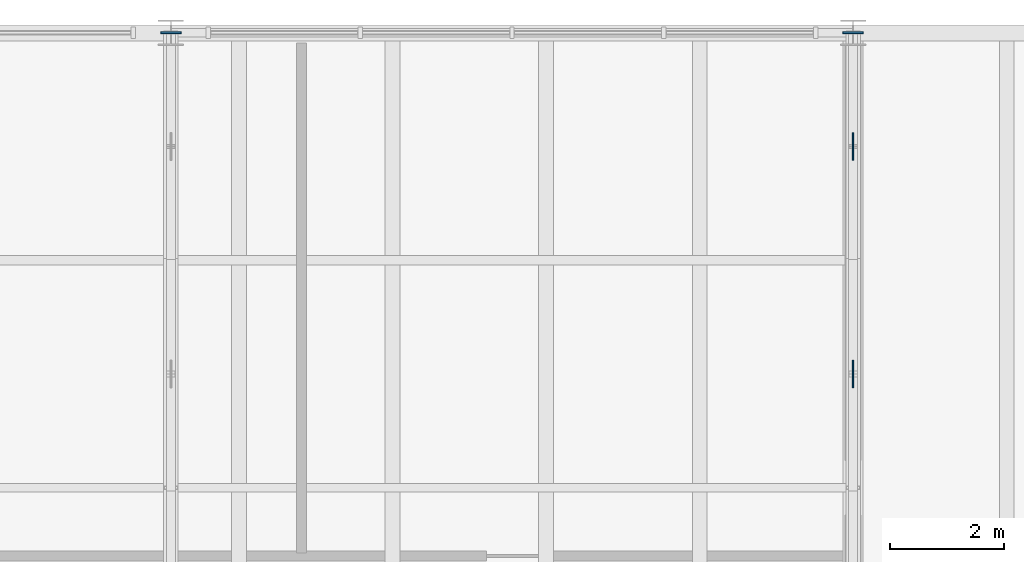
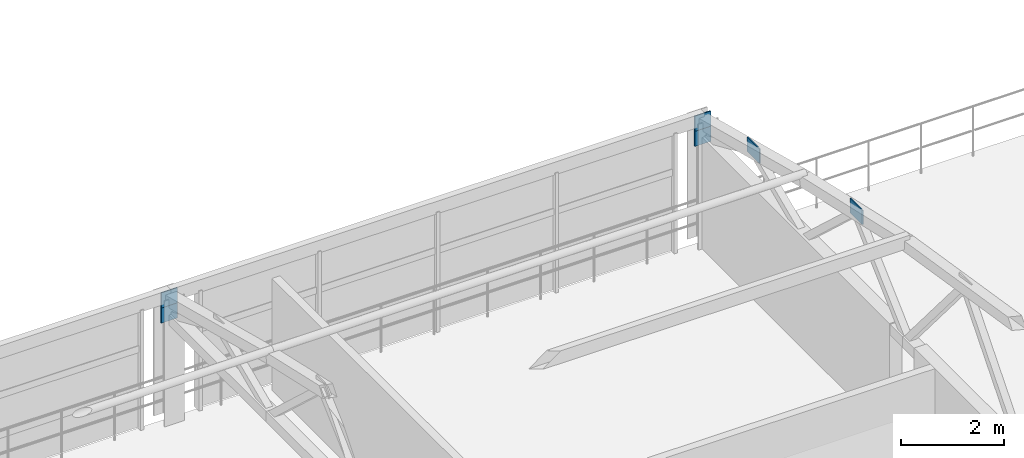
# One storey, part 35 of 50: 6 plates.
"""IFC4 building model written with IfcOpenShell, lengths in metres."""

import ifcopenshell
import ifcopenshell.guid

model = None  # the IFC model being written
_history = None  # IfcOwnerHistory: only IFC2X3 demands one
_inside = {}  # id of a spatial element -> (the spatial element, [elements in it])
_under = {}  # id of a project, library or spatial element -> (it, [spatial elements below it])
_declared = {}  # id of a project -> (the project, [libraries it declares])
_typed = {}  # id of a type object -> (the type object, [elements of that type])
_made_of = {}  # id of a material, layer set ... -> (it, [elements and type objects made of it])


def new_model(schema):
    """Start an empty IFC model of exactly this schema.

    Asked for "IFC4X3", IfcOpenShell would pick the latest addendum, in which some entities
    have other attributes; the version numbers below select the first issue.
    IFC2X3 requires an IfcOwnerHistory on every rooted entity: one is made here for all.
    """
    global model, _history
    if schema == "IFC4X3":
        model = ifcopenshell.file(schema_version=(4, 3, 0, 0))
    else:
        model = ifcopenshell.file(schema=schema)
    _inside.clear()
    _under.clear()
    _declared.clear()
    _typed.clear()
    _made_of.clear()
    _history = None
    if model.schema == "IFC2X3":
        org = make("IfcOrganization", Name="unknown")
        user = make(
            "IfcPersonAndOrganization",
            ThePerson=make("IfcPerson", FamilyName="unknown"),
            TheOrganization=org,
        )
        app = make(
            "IfcApplication",
            ApplicationDeveloper=org,
            Version="unknown",
            ApplicationFullName="unknown",
            ApplicationIdentifier="unknown",
        )
        _history = make(
            "IfcOwnerHistory",
            OwningUser=user,
            OwningApplication=app,
            ChangeAction="ADDED",
            CreationDate=0,
        )
    return model


def make(cls, **values):
    """One entity of the class cls with the attributes given. An attribute that is None is left unset."""
    return model.create_entity(
        cls, **{name: value for name, value in values.items() if value is not None}
    )


def rooted(cls, **values):
    """An entity with a GlobalId (a new one), such as an element, a storey or a relation."""
    return make(cls, GlobalId=ifcopenshell.guid.new(), OwnerHistory=_history, **values)


def si_unit(unit_type, name, prefix=None):
    """IfcSIUnit, for example si_unit("LENGTHUNIT", "METRE", prefix="MILLI")."""
    return make("IfcSIUnit", UnitType=unit_type, Prefix=prefix, Name=name)


def derived_unit(unit_type, elements):
    """IfcDerivedUnit: a product of units, each with its exponent."""
    return make(
        "IfcDerivedUnit",
        Elements=[
            make("IfcDerivedUnitElement", Unit=unit, Exponent=power)
            for unit, power in elements
        ],
        UnitType=unit_type,
    )


def assignment(units):
    """IfcUnitAssignment: the units of a project."""
    return None if units is None else make("IfcUnitAssignment", Units=units)


def point(xyz):
    """IfcCartesianPoint."""
    return None if xyz is None else make("IfcCartesianPoint", Coordinates=xyz)


def direction(xyz):
    """IfcDirection."""
    return None if xyz is None else make("IfcDirection", DirectionRatios=xyz)


def frame(location, z_axis=None, x_axis=None):
    """IfcAxis2Placement3D, a coordinate frame: its origin and axes. An axis left out is left unset."""
    return make(
        "IfcAxis2Placement3D",
        Location=point(location),
        Axis=direction(z_axis),
        RefDirection=direction(x_axis),
    )


def frame_2d(location, x_axis=None):
    """IfcAxis2Placement2D, a coordinate frame in the plane: its origin and x axis."""
    return make(
        "IfcAxis2Placement2D", Location=point(location), RefDirection=direction(x_axis)
    )


def origin():
    """The frame at (0, 0, 0) with its axes left unset."""
    return frame((0.0, 0.0, 0.0))


def origin_2d():
    """The frame at (0, 0) in the plane with its x axis left unset."""
    return frame_2d((0.0, 0.0))


def place(relative_to, where):
    """IfcLocalPlacement: puts the frame where relative to a parent placement (None: the world)."""
    return make(
        "IfcLocalPlacement", PlacementRelTo=relative_to, RelativePlacement=where
    )


def context(
    kind, dimensions, precision=None, world=None, true_north=None, identifier=None
):
    """IfcGeometricRepresentationContext, for example the 3D "Model" context."""
    return make(
        "IfcGeometricRepresentationContext",
        ContextIdentifier=identifier,
        ContextType=kind,
        CoordinateSpaceDimension=dimensions,
        Precision=precision,
        WorldCoordinateSystem=world,
        TrueNorth=true_north,
    )


def subcontext(parent, identifier, kind, view, scale=None):
    """IfcGeometricRepresentationSubContext, for example "Body" below "Model"."""
    return make(
        "IfcGeometricRepresentationSubContext",
        ContextIdentifier=identifier,
        ContextType=kind,
        ParentContext=parent,
        TargetScale=scale,
        TargetView=view,
    )


def project(units=None, contexts=None):
    """IfcProject with its units and contexts."""
    return rooted(
        "IfcProject",
        Name="project",
        RepresentationContexts=contexts,
        UnitsInContext=assignment(units),
    )


def spatial(cls, under=None, at=None, **own):
    """A site, building, storey or space (cls), placed at a placement, below another one or the project."""
    s = rooted(cls, ObjectPlacement=at, **own)
    if under is not None:
        _under.setdefault(under.id(), (under, []))[1].append(s)
    return s


def profile(cls, at=None, kind="AREA", **sizes):
    """A parametric profile (cls). Its sizes go by their IFC names, for example OverallWidth=200.0."""
    return make(cls, ProfileType=kind, Position=at, **sizes)


def rectangle(**sizes):
    """IfcRectangleProfileDef."""
    return profile("IfcRectangleProfileDef", **sizes)


def extrude(swept, where, along, depth):
    """IfcExtrudedAreaSolid: the profile swept, set in the frame where, extruded along a direction by depth."""
    return make(
        "IfcExtrudedAreaSolid",
        SweptArea=swept,
        Position=where,
        ExtrudedDirection=direction(along),
        Depth=depth,
    )


def shape(context_of_items, identifier, shape_type, items):
    """IfcShapeRepresentation: the items that make up one representation, for example the "Body"."""
    return make(
        "IfcShapeRepresentation",
        ContextOfItems=context_of_items,
        RepresentationIdentifier=identifier,
        RepresentationType=shape_type,
        Items=items,
    )


def material(Name=None, Category=None):
    """IfcMaterial."""
    return make("IfcMaterial", Name=Name, Category=Category)


def layer(
    of_material, thickness, ventilated=None, Name=None, Category=None, Priority=None
):
    """IfcMaterialLayer: one layer of a wall or slab, of a material (None: an air gap)."""
    return make(
        "IfcMaterialLayer",
        Material=of_material,
        LayerThickness=thickness,
        IsVentilated=ventilated,
        Name=Name,
        Category=Category,
        Priority=Priority,
    )


def layer_set(layers, Name=None):
    """IfcMaterialLayerSet."""
    return make("IfcMaterialLayerSet", MaterialLayers=layers, LayerSetName=Name)


def made_of(thing, what):
    """Note that an element or type object is made of a material, layer set ...; save() writes the relation."""
    if what is not None:
        _made_of.setdefault(what.id(), (what, []))[1].append(thing)
    return thing


def type_object(cls, material=None, **own):
    """A type object (cls), such as IfcWallType, which elements share."""
    return made_of(rooted(cls, **own), material)


def element(
    cls,
    number,
    at=None,
    inside=None,
    cuts=None,
    type_object=None,
    material=None,
    context=None,
    identifier="Body",
    shape_type=None,
    held_by="IfcProductDefinitionShape",
    body=None,
    shapes=None,
    **own,
):
    """One element of the class cls, such as IfcWall. Its Tag is "e" and its number.

    at: its placement. inside: the storey or other place that contains it. cuts: it is an
    opening in that element (IfcRelVoidsElement). A single representation is given by context,
    identifier, shape_type and body (its items); several are given by shapes. held_by: the class
    of the entity that holds the representations. save() writes the other relations.
    """
    e = rooted(cls, Tag="e%d" % number, ObjectPlacement=at, **own)
    if body is not None:
        shapes = [shape(context, identifier, shape_type, body)]
    if shapes is not None:
        e.Representation = make(held_by, Representations=shapes)
    if inside is not None:
        _inside.setdefault(inside.id(), (inside, []))[1].append(e)
    if cuts is not None:
        rooted(
            "IfcRelVoidsElement", RelatingBuildingElement=cuts, RelatedOpeningElement=e
        )
    if type_object is not None:
        _typed.setdefault(type_object.id(), (type_object, []))[1].append(e)
    return made_of(e, material)


def aggregate(whole, parts):
    """IfcRelAggregates: a whole, such as a stair, and the parts it consists of."""
    return rooted("IfcRelAggregates", RelatingObject=whole, RelatedObjects=parts)


def save(model, path):
    """Write the relations noted so far, then the file.

    IfcRelAggregates (storeys below a building ...), IfcRelContainedInSpatialStructure (elements
    in a storey), IfcRelDefinesByType, IfcRelAssociatesMaterial and IfcRelDeclares: one each for
    every whole, place, type object, material and project.
    """
    for whole, parts in _under.values():
        aggregate(whole, parts)
    for where, things in _inside.values():
        rooted(
            "IfcRelContainedInSpatialStructure",
            RelatedElements=things,
            RelatingStructure=where,
        )
    for kind, things in _typed.values():
        rooted("IfcRelDefinesByType", RelatedObjects=things, RelatingType=kind)
    for what, things in _made_of.values():
        rooted("IfcRelAssociatesMaterial", RelatedObjects=things, RelatingMaterial=what)
    for by, libraries in _declared.values():
        rooted("IfcRelDeclares", RelatingContext=by, RelatedDefinitions=libraries)
    model.write(path)


model = new_model("IFC4")

# Units and contexts
model_context = context("Model", 3, precision=1e-05, world=origin(), true_north=direction((0.0, 1.0)))
body_context = subcontext(model_context, "Body", "Model", "MODEL_VIEW")
ifc_project = project(units=[si_unit("LENGTHUNIT", "METRE"), si_unit("AREAUNIT", "SQUARE_METRE"), si_unit("VOLUMEUNIT", "CUBIC_METRE"), si_unit("PLANEANGLEUNIT", "RADIAN"), si_unit("MASSUNIT", "GRAM", prefix="KILO"), si_unit("THERMODYNAMICTEMPERATUREUNIT", "KELVIN"), derived_unit("THERMALTRANSMITTANCEUNIT", [(si_unit("POWERUNIT", "WATT"), 1), (si_unit("AREAUNIT", "SQUARE_METRE"), -1), (si_unit("THERMODYNAMICTEMPERATUREUNIT", "KELVIN"), -1)])], contexts=[model_context])

# Site, building, storey
site_placement = place(None, origin())
site = spatial("IfcSite", under=ifc_project, at=site_placement, CompositionType="ELEMENT")
building_placement = place(site_placement, origin())
building = spatial("IfcBuilding", under=site, at=building_placement, Name="Haiyu Intermodal Mobility Hub", CompositionType="ELEMENT")
storey_placement = place(building_placement, frame((0.0, 0.0, 25.10009765625)))
storey = spatial("IfcBuildingStorey", under=building, at=storey_placement, Name="L06", CompositionType="ELEMENT", Elevation=25.10009765625)

# Plates
ifc_material = material(Name="Steel Q355C", Category="steel")
ifc_layer_1 = layer(ifc_material, 0.031982421875)
ifc_layer_set_1 = layer_set([ifc_layer_1], Name="Steel Q355C")
plate_type_1 = type_object("IfcPlateType", Name="PLT-GP02-INT", PredefinedType="USERDEFINED", material=ifc_layer_set_1)
for number, where, z_axis, x_axis, name in (
    (1, (96.0, 148.0, 2.6796875), (0.0, 0.0, 1.0), (1.0, 0.0, 0.0), "Pavilion Truss End Cap 5-2"),
    (2, (96.0, 148.0, 2.31982421875), (0.0, 0.0, 1.0), (1.0, 0.0, 0.0), "Pavilion Truss End Cap 5-4"),
    (3, (108.0, 148.0, 2.6796875), (0.0, 0.0, 1.0), (1.0, 0.0, 0.0), "Pavilion Truss End Cap 6-2"),
    (4, (108.0, 148.0, 2.31982421875), (0.0, 0.0, 1.0), (1.0, 0.0, 0.0), "Pavilion Truss End Cap 6-4"),
):
    element("IfcPlate", number, at=place(storey_placement, frame(where, z_axis=z_axis, x_axis=x_axis)), inside=storey, type_object=plate_type_1, Name=name, ObjectType="GUSSET PLATE", PredefinedType="USERDEFINED", context=body_context, shape_type="SweptSolid", body=[
        extrude(rectangle(XDim=0.360107421875, YDim=0.028076171875, at=origin_2d()), origin(), (0.0, 0.0, 1.0), 0.360107421875),
    ])
ifc_layer_2 = layer(ifc_material, 0.02587890625)
ifc_layer_set_2 = layer_set([ifc_layer_2], Name="Steel Q355C")
plate_type_2 = type_object("IfcPlateType", Name="PLT-GP06-INT", PredefinedType="USERDEFINED", material=ifc_layer_set_2)
for number, where, z_axis, x_axis, name in (
    (5, (108.0, 142.0, 4.1787109375), (0.0, 0.0, 1.0), (1.0, 0.0, 0.0), "PLT-PAV-079"),
    (6, (108.0, 146.0, 3.2080078125), (0.0, 0.0, 1.0), (1.0, 0.0, 0.0), "PLT-PAV-080"),
):
    element("IfcPlate", number, at=place(storey_placement, frame(where, z_axis=z_axis, x_axis=x_axis)), inside=storey, type_object=plate_type_2, Name=name, ObjectType="GUSSET PLATE", PredefinedType="USERDEFINED", context=body_context, shape_type="SweptSolid", body=[
        extrude(rectangle(XDim=0.028076171875, YDim=0.47998046875, at=origin_2d()), origin(), (0.0, 0.0, 1.0), 0.340087890625),
    ])

save(model, "model.ifc")
